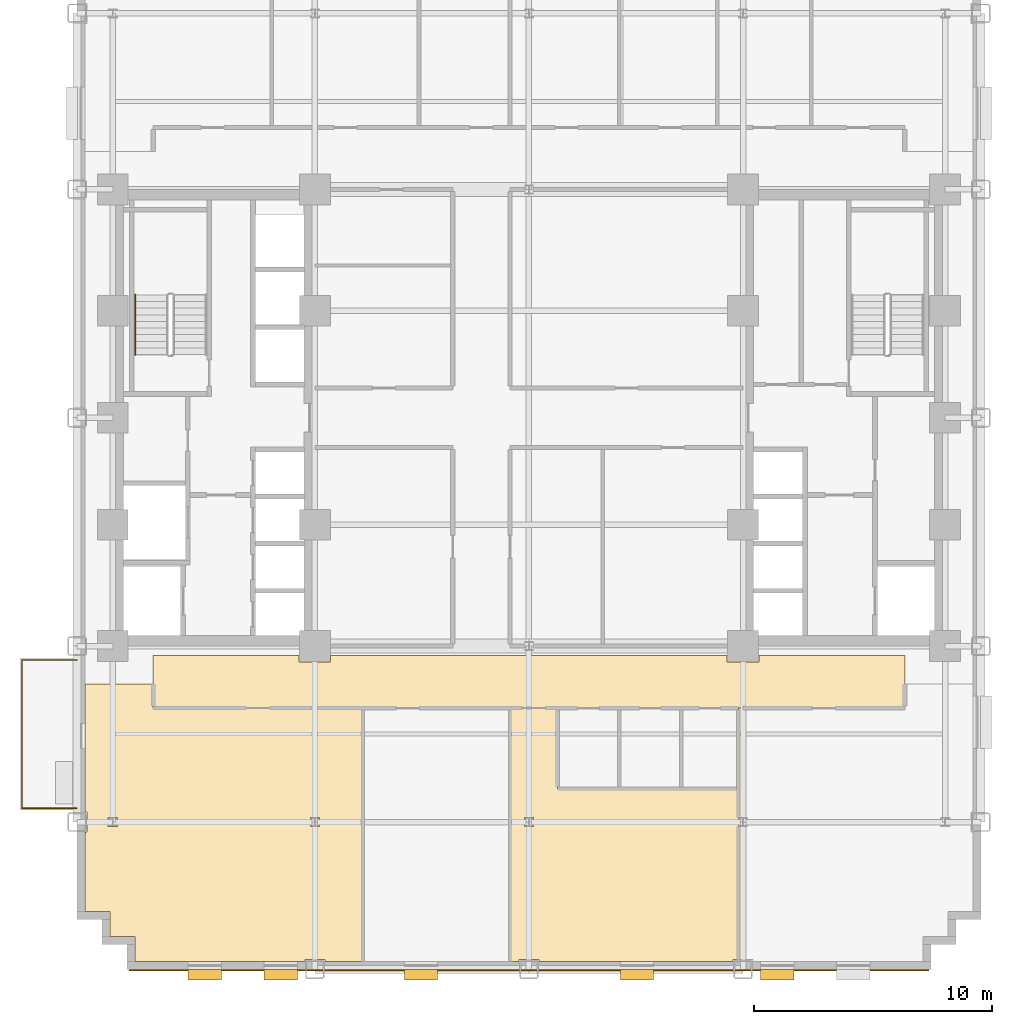
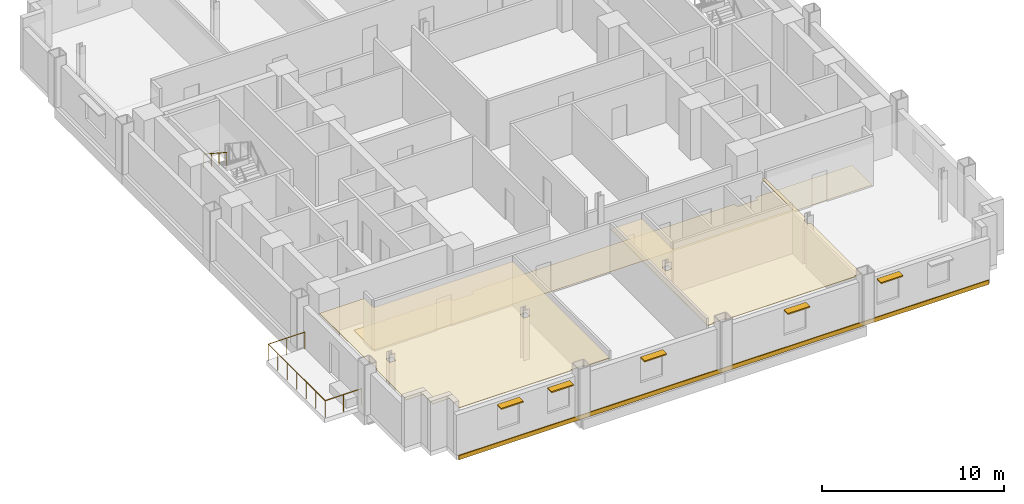
# One storey, part 9 of 12: 5 shading devices, 4 coverings, 2 railings.
"""IFC4 building model written with IfcOpenShell, lengths in metres."""

from ifc_helpers import new_model, si_unit, direction, frame, origin, origin_2d, place, context, subcontext, project, spatial, polyline, rectangle, circle, outline, extrude, source, transform, mapped, material, layer, layer_set, type_object, type_shapes, element, save


model = new_model("IFC4")

# Units and contexts
model_context = context("Model", 3, precision=1e-05, world=origin(), true_north=direction((0.0, 1.0)))
body_context = subcontext(model_context, "Body", "Model", "MODEL_VIEW")
ifc_project = project(units=[si_unit("LENGTHUNIT", "METRE"), si_unit("AREAUNIT", "SQUARE_METRE"), si_unit("VOLUMEUNIT", "CUBIC_METRE"), si_unit("PLANEANGLEUNIT", "RADIAN"), si_unit("MASSUNIT", "GRAM", prefix="KILO")], contexts=[model_context])

# Site, building, storey
site_placement = place(None, origin())
site = spatial("IfcSite", under=ifc_project, at=site_placement, CompositionType="ELEMENT")
building_placement = place(site_placement, origin())
building = spatial("IfcBuilding", under=site, at=building_placement, Name="Nuvemarco Arch Tower", CompositionType="ELEMENT")
storey_placement = place(building_placement, frame((0.0, 0.0, 38.550048828125)))
storey = spatial("IfcBuildingStorey", under=building, at=storey_placement, Name="L09", CompositionType="ELEMENT", Elevation=38.550048828125)

# Coverings
ifc_material_1 = material(Name="Mineral acoustic ceiling tile")
ifc_layer_1 = layer(ifc_material_1, 0.0400390625, Name="COV-ACOUSTIC-CLG")
ifc_layer_set_1 = layer_set([ifc_layer_1], Name="Mineral acoustic ceiling tile")
covering_type_1 = type_object("IfcCoveringType", Name="COV-ACOUSTIC-CLG", PredefinedType="CEILING", material=ifc_layer_set_1)
covering_1_placement = place(storey_placement, frame((0.0, 0.0, 2.849853515625)))
element("IfcCovering", 1, at=covering_1_placement, inside=storey, type_object=covering_type_1, Name="L09 suspended acoustic ceiling 1", PredefinedType="CEILING", context=body_context, shape_type="SweptSolid", body=[
    extrude(outline(polyline([(-18.659912109375, -20.760009765625), (-18.659912109375, -17.4150390625), (-18.5849609375, -17.4150390625), (-18.5849609375, -16.5849609375), (-18.659912109375, -16.5849609375), (-18.659912109375, -11.199951171875), (-15.800048828125, -11.199951171875), (-15.800048828125, -12.199951171875), (-6.989990234375, -12.199951171875), (-6.989990234375, -22.860107421875), (-8.5849609375, -22.860107421875), (-8.5849609375, -22.784912109375), (-9.4150390625, -22.784912109375), (-9.4150390625, -22.860107421875), (-16.56005859375, -22.860107421875), (-16.56005859375, -21.81005859375), (-17.610107421875, -21.81005859375), (-17.610107421875, -20.760009765625), (-18.659912109375, -20.760009765625)]), holes=[polyline([(-17.304931640625, -16.804931640625), (-17.695068359375, -16.804931640625), (-17.695068359375, -17.195068359375), (-17.304931640625, -17.195068359375), (-17.304931640625, -16.804931640625)]), polyline([(-8.804931640625, -17.195068359375), (-8.804931640625, -16.804931640625), (-9.195068359375, -16.804931640625), (-9.195068359375, -17.195068359375), (-8.804931640625, -17.195068359375)])]), origin(), (0.0, 0.0, 1.0), 0.0400390625),
])
covering_2_placement = place(storey_placement, frame((0.0, 0.0, 2.849853515625)))
element("IfcCovering", 2, at=covering_2_placement, inside=storey, type_object=covering_type_1, Name="L09 suspended acoustic ceiling 4", PredefinedType="CEILING", context=body_context, shape_type="SweptSolid", body=[
    extrude(outline(polyline([(3.800048828125, -15.60009765625), (6.39990234375, -15.60009765625), (8.800048828125, -15.60009765625), (8.800048828125, -12.199951171875), (9.0, -12.199951171875), (9.0, -16.804931640625), (8.804931640625, -16.804931640625), (8.804931640625, -17.195068359375), (9.0, -17.195068359375), (9.0, -22.784912109375), (8.5849609375, -22.784912109375), (8.5849609375, -22.860107421875), (0.4150390625, -22.860107421875), (0.4150390625, -22.784912109375), (-0.4150390625, -22.784912109375), (-0.4150390625, -22.860107421875), (-0.800048828125, -22.860107421875), (-0.800048828125, -12.199951171875), (1.199951171875, -12.199951171875), (1.199951171875, -15.60009765625), (3.800048828125, -15.60009765625)]), holes=[polyline([(0.195068359375, -17.195068359375), (0.195068359375, -16.804931640625), (-0.195068359375, -16.804931640625), (-0.195068359375, -17.195068359375), (0.195068359375, -17.195068359375)])]), origin(), (0.0, 0.0, 1.0), 0.0400390625),
])
ifc_material_2 = material(Name="Polished granite terrazzostone flooring", Category="masonry")
ifc_layer_2 = layer(ifc_material_2, 0.02001953125, Name="COV-LOBBY-FLR")
ifc_layer_set_2 = layer_set([ifc_layer_2], Name="Polished granite terrazzostone flooring")
covering_type_2 = type_object("IfcCoveringType", Name="COV-LOBBY-FLR", PredefinedType="FLOORING", material=ifc_layer_set_2)
covering_3_placement = place(storey_placement, origin())
element("IfcCovering", 3, at=covering_3_placement, inside=storey, type_object=covering_type_2, Name="L09 polished terrazzo lobby flooring", PredefinedType="FLOORING", context=body_context, shape_type="SweptSolid", body=[
    extrude(outline(polyline([(-9.6650390625, -10.264892578125), (-8.3349609375, -10.264892578125), (-8.3349609375, -10.0), (8.3349609375, -10.0), (8.3349609375, -10.264892578125), (9.6650390625, -10.264892578125), (9.6650390625, -10.0), (15.800048828125, -10.0), (15.800048828125, -12.199951171875), (-0.800048828125, -12.199951171875), (-3.199951171875, -12.199951171875), (-15.800048828125, -12.199951171875), (-15.800048828125, -10.0), (-9.6650390625, -10.0), (-9.6650390625, -10.264892578125)])), origin(), (0.0, 0.0, 1.0), 0.02001953125),
])

# Railings
ifc_material_3 = material(Name="Brushed stainless steel handrail", Category="steel")
railing_type_1 = type_object("IfcRailingType", Name="RL-HANDRAIL-900", PredefinedType="HANDRAIL", material=ifc_material_3)
railing_1_placement = place(storey_placement, frame((-16.550048828125, 5.169921875, 2.007568359375)))
element("IfcRailing", 4, at=railing_1_placement, inside=storey, type_object=railing_type_1, Name="L09 ST-1 stair handrail 2", PredefinedType="HANDRAIL", context=body_context, shape_type="SweptSolid", body=[
    extrude(circle(Radius=0.02392578125, at=origin_2d()), frame((0.0, 0.0, 0.8759765625), z_axis=(0.0, -0.837786554691, 0.545997883492), x_axis=(1.0, 0.0, 0.0)), (0.0, 0.0, 1.0), 3.008056640625),
    extrude(circle(Radius=0.02099609375, at=origin_2d()), origin(), (0.0, 0.0, 1.0), 0.851806640625),
    extrude(circle(Radius=0.02099609375, at=origin_2d()), frame((0.0, -0.840087890625, 0.54736328125)), (0.0, 0.0, 1.0), 0.851806640625),
    extrude(circle(Radius=0.02099609375, at=origin_2d()), frame((0.0, -1.679931640625, 1.094970703125)), (0.0, 0.0, 1.0), 0.851806640625),
    extrude(circle(Radius=0.02099609375, at=origin_2d()), frame((0.0, -2.52001953125, 1.642333984375)), (0.0, 0.0, 1.0), 0.851806640625),
])
ifc_material_4 = material(Name="Dark anodised balustrade steel S355", Category="steel")
railing_type_2 = type_object("IfcRailingType", Name="RL-TERR-GUARD", PredefinedType="BALUSTRADE", material=ifc_material_4)
railing_2_placement = place(storey_placement, frame((-19.0, -16.419921875, 0.0)))
element("IfcRailing", 5, at=railing_2_placement, inside=storey, type_object=railing_type_2, Name="L09 spiral terrace perimeter balustrade guard", PredefinedType="BALUSTRADE", context=body_context, shape_type="SweptSolid", body=[
    extrude(circle(Radius=0.02392578125, at=origin_2d()), frame((0.0, 0.0, 1.1259765625), z_axis=(-1.0, 0.0, 0.0), x_axis=(0.0, -1.0, 0.0)), (0.0, 0.0, 1.0), 2.320068359375),
    extrude(circle(Radius=0.02392578125, at=origin_2d()), frame((-2.320068359375, 0.0, 1.1259765625), z_axis=(0.0, 1.0, 0.0), x_axis=(-1.0, 0.0, 0.0)), (0.0, 0.0, 1.0), 6.239990234375),
    extrude(circle(Radius=0.02392578125, at=origin_2d()), frame((-2.320068359375, 6.239990234375, 1.1259765625), z_axis=(1.0, 0.0, 0.0), x_axis=(0.0, 1.0, 0.0)), (0.0, 0.0, 1.0), 2.320068359375),
    extrude(circle(Radius=0.02099609375, at=origin_2d()), origin(), (0.0, 0.0, 1.0), 1.101806640625),
    extrude(circle(Radius=0.02099609375, at=origin_2d()), frame((-1.16015625, 0.0, 0.0)), (0.0, 0.0, 1.0), 1.101806640625),
    extrude(circle(Radius=0.02099609375, at=origin_2d()), frame((-2.320068359375, 0.0, 0.0)), (0.0, 0.0, 1.0), 1.101806640625),
    extrude(circle(Radius=0.02099609375, at=origin_2d()), frame((-2.320068359375, 1.0400390625, 0.0)), (0.0, 0.0, 1.0), 1.101806640625),
    extrude(circle(Radius=0.02099609375, at=origin_2d()), frame((-2.320068359375, 2.080078125, 0.0)), (0.0, 0.0, 1.0), 1.101806640625),
    extrude(circle(Radius=0.02099609375, at=origin_2d()), frame((-2.320068359375, 3.1201171875, 0.0)), (0.0, 0.0, 1.0), 1.101806640625),
    extrude(circle(Radius=0.02099609375, at=origin_2d()), frame((-2.320068359375, 4.159912109375, 0.0)), (0.0, 0.0, 1.0), 1.101806640625),
    extrude(circle(Radius=0.02099609375, at=origin_2d()), frame((-2.320068359375, 5.199951171875, 0.0)), (0.0, 0.0, 1.0), 1.101806640625),
    extrude(circle(Radius=0.02099609375, at=origin_2d()), frame((-2.320068359375, 6.239990234375, 0.0)), (0.0, 0.0, 1.0), 1.101806640625),
    extrude(circle(Radius=0.02099609375, at=origin_2d()), frame((-1.16015625, 6.239990234375, 0.0)), (0.0, 0.0, 1.0), 1.101806640625),
    extrude(circle(Radius=0.02099609375, at=origin_2d()), frame((0.0, 6.239990234375, 0.0)), (0.0, 0.0, 1.0), 1.101806640625),
])

# Shading devices
ifc_material_5 = material(Name="Anodised aluminium 6063-T6", Category="aluminium")
shading_device_type = type_object("IfcShadingDeviceType", Name="SHD-BRISE-NARROW", PredefinedType="USERDEFINED", material=ifc_material_5)
shared_shape_1 = source(origin(), body_context, "Body", "SweptSolid", [
    extrude(rectangle(XDim=1.39990234375, YDim=0.449951171875, at=origin_2d()), origin(), (0.0, 0.0, 1.0), 0.080078125),
])
type_shapes(shading_device_type, [shared_shape_1])
for number, where, z_axis, x_axis, name in (
    (6, (-13.628662109375, -23.4150390625, 2.454833984375), (0.0, 0.0, 1.0), (1.0, 0.0, 0.0), "L09 horizontal brise-soleil sunshade"),
    (7, (-10.435791015625, -23.4150390625, 2.454833984375), (0.0, 0.0, 1.0), (1.0, 0.0, 0.0), "L09 horizontal brise-soleil sunshade"),
    (8, (-4.54296875, -23.4150390625, 2.454833984375), (0.0, 0.0, 1.0), (1.0, 0.0, 0.0), "L09 horizontal brise-soleil sunshade"),
    (9, (4.54296875, -23.4150390625, 2.454833984375), (0.0, 0.0, 1.0), (1.0, 0.0, 0.0), "L09 horizontal brise-soleil sunshade"),
    (10, (10.435791015625, -23.4150390625, 2.454833984375), (0.0, 0.0, 1.0), (1.0, 0.0, 0.0), "L09 horizontal brise-soleil sunshade"),
):
    element("IfcShadingDevice", number, at=place(storey_placement, frame(where, z_axis=z_axis, x_axis=x_axis)), inside=storey, type_object=shading_device_type, Name=name, ObjectType="SUNSHADE", PredefinedType="USERDEFINED", context=body_context, shape_type="MappedRepresentation", body=[
        mapped(shared_shape_1, transform((0.0, 0.0, 0.0), scale=1.0)),
    ])

# Covering
ifc_material_6 = material(Name="Precast concrete C45/55", Category="concrete")
ifc_layer_3 = layer(ifc_material_6, 0.06005859375, Name="COV-SPANDREL-CLAD")
ifc_layer_set_3 = layer_set([ifc_layer_3], Name="Precast concrete C45/55")
covering_type_3 = type_object("IfcCoveringType", Name="COV-SPANDREL-CLAD", PredefinedType="CLADDING", material=ifc_layer_set_3)
shared_shape_2 = source(origin(), body_context, "Body", "SweptSolid", [
    extrude(rectangle(XDim=33.60009765625, YDim=0.06005859375, at=origin_2d()), origin(), (0.0, 0.0, 1.0), 0.280029296875),
])
type_shapes(covering_type_3, [shared_shape_2])
covering_4_placement = place(storey_placement, frame((0.0, -23.22900390625, -0.2802734375), z_axis=(0.0, 0.0, 1.0), x_axis=(1.0, 0.0, 0.0)))
element("IfcCovering", 11, at=covering_4_placement, inside=storey, type_object=covering_type_3, Name="L09 precast spandrel edge cladding south", PredefinedType="CLADDING", context=body_context, shape_type="MappedRepresentation", body=[
    mapped(shared_shape_2, transform((0.0, 0.0, 0.0), scale=1.0)),
])

save(model, "model.ifc")
